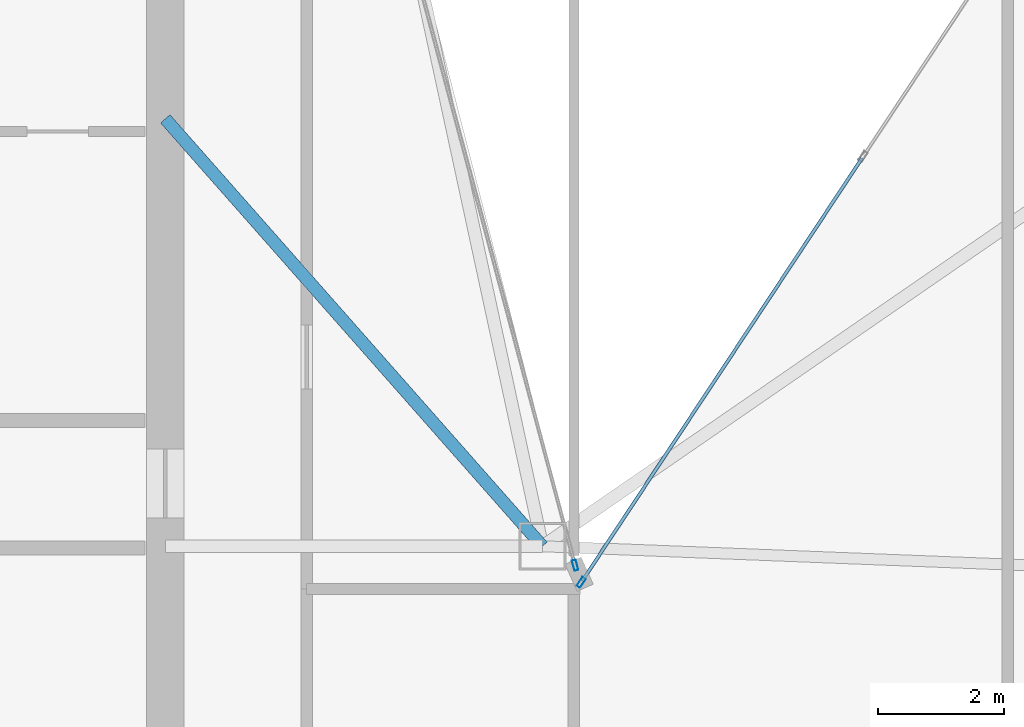
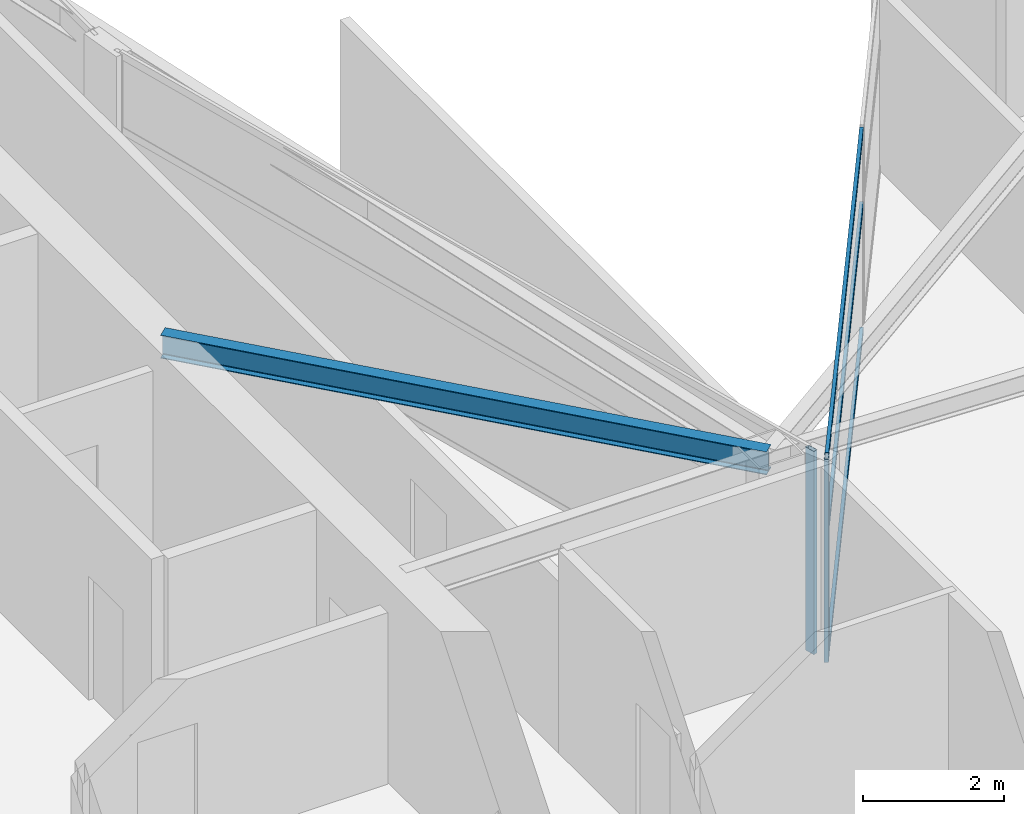
# One storey, part 10 of 27: 5 members, 1 beam, 2 elements without a shape of their own.
"""IFC4 building model written with IfcOpenShell, lengths in metres."""

from ifc_helpers import new_model, si_unit, direction, frame, origin, origin_2d, place, context, subcontext, project, spatial, hollow_rectangle, i_section, extrude, material, layer, layer_set, material_profile, profile_set, type_object, element, aggregate, save


model = new_model("IFC4")

# Units and contexts
model_context = context("Model", 3, precision=1e-05, world=origin(), true_north=direction((0.0, 1.0)))
body_context = subcontext(model_context, "Body", "Model", "MODEL_VIEW")
ifc_project = project(units=[si_unit("LENGTHUNIT", "METRE"), si_unit("AREAUNIT", "SQUARE_METRE"), si_unit("VOLUMEUNIT", "CUBIC_METRE"), si_unit("PLANEANGLEUNIT", "RADIAN"), si_unit("MASSUNIT", "GRAM", prefix="KILO")], contexts=[model_context])

# Site, building, storey
site_placement = place(None, origin())
site = spatial("IfcSite", under=ifc_project, at=site_placement, CompositionType="ELEMENT")
building_placement = place(site_placement, origin())
building = spatial("IfcBuilding", under=site, at=building_placement, Name="Calvorn Quay Hotel", CompositionType="ELEMENT")
storey_placement = place(building_placement, frame((0.0, 0.0, 278.699951171875)))
storey = spatial("IfcBuildingStorey", under=building, at=storey_placement, Name="L69", CompositionType="ELEMENT", Elevation=278.699951171875)

# Beam
ifc_material_1 = material(Name="Steel Q355B", Category="steel")
ifc_material_profile_1 = material_profile(ifc_material_1, i_section(OverallWidth=0.199951171875, OverallDepth=0.39990234375, WebThickness=0.008056640625, FlangeThickness=0.012939453125, FilletRadius=0.01611328125, at=origin_2d()), Name="HN400x200x8x13")
ifc_profile_set_1 = profile_set([ifc_material_profile_1], Name="Steel Q355B")
beam_type = type_object("IfcBeamType", Name="BM-JOIST-TYP", PredefinedType="JOIST", material=ifc_profile_set_1)
beam_placement = place(storey_placement, frame((15.0, 31.800048828125, 3.320068359375), z_axis=(0.661618965899, -0.749840212287, 0.0), x_axis=(0.749840212287, 0.661618965899, 0.0)))
element("IfcBeam", 1, at=beam_placement, inside=storey, type_object=beam_type, Name="Beam BJ-L69-C1", PredefinedType="JOIST", context=body_context, shape_type="SweptSolid", body=[
    extrude(i_section(OverallWidth=0.199951171875, OverallDepth=0.39990234375, WebThickness=0.008056640625, FlangeThickness=0.012939453125, FilletRadius=0.01611328125, at=origin_2d()), origin(), (0.0, 0.0, 1.0), 9.068603515625),
])

# Curtain wall, member
ifc_material_2 = material(Name="Champagne Bronze Anodised Aluminium and Low-E Glass", Category="aluminium")
ifc_layer = layer(ifc_material_2, 0.219970703125)
ifc_layer_set = layer_set([ifc_layer], Name="CW-SYS-Z4")
curtain_wall_type = type_object("IfcCurtainWallType", Name="CW-SYS-Z4", PredefinedType="NOTDEFINED", material=ifc_layer_set)
curtain_wall_1_placement = place(storey_placement, origin())
curtain_wall_1 = element("IfcCurtainWall", 2, at=curtain_wall_1_placement, inside=storey, type_object=curtain_wall_type, Name="Inner Court Curtain Wall L69-NE1", PredefinedType="NOTDEFINED")
ifc_material_3 = material(Name="Champagne Bronze Anodised Aluminium 6063-T6", Category="aluminium")
ifc_material_profile_2 = material_profile(ifc_material_3, hollow_rectangle(XDim=0.06494140625, YDim=0.169921875, WallThickness=0.00341796875, at=origin_2d()), Name="ALU-M170x65x3.5")
ifc_profile_set_2 = profile_set([ifc_material_profile_2], Name="Champagne Bronze Anodised Aluminium 6063-T6")
member_type_1 = type_object("IfcMemberType", Name="CW-SYS-Z4-MUL", PredefinedType="MULLION", material=ifc_profile_set_2)
member_1_placement = place(storey_placement, frame((21.616455078125, 24.425048828125, 0.0), z_axis=(0.0, 0.0, 1.0), x_axis=(0.833932205724, -0.551866900852, 0.0)))
member_1 = element("IfcMember", 3, at=member_1_placement, type_object=member_type_1, Name="CW-L69-NE1 mullion 3", PredefinedType="MULLION", context=body_context, shape_type="SweptSolid", body=[
    extrude(hollow_rectangle(XDim=0.06494140625, YDim=0.169921875, WallThickness=0.00341796875, at=origin_2d()), origin(), (0.0, 0.0, 1.0), 3.52001953125),
])

curtain_wall_2_placement = place(storey_placement, origin())
curtain_wall_2 = element("IfcCurtainWall", 4, at=curtain_wall_2_placement, inside=storey, type_object=curtain_wall_type, Name="Inner Court Curtain Wall L69-IC1", PredefinedType="NOTDEFINED")
member_2_placement = place(storey_placement, frame((21.520263671875, 24.698974609375, 0.0), z_axis=(0.0, 0.0, 1.0), x_axis=(-0.96593652056, -0.25877913024, 0.0)))
member_2 = element("IfcMember", 5, at=member_2_placement, type_object=member_type_1, Name="CW-L69-IC1 mullion 1", PredefinedType="MULLION", context=body_context, shape_type="SweptSolid", body=[
    extrude(hollow_rectangle(XDim=0.06494140625, YDim=0.169921875, WallThickness=0.00341796875, at=origin_2d()), origin(), (0.0, 0.0, 1.0), 3.52001953125),
])
aggregate(curtain_wall_2, [member_2])

# Member
ifc_material_4 = material(Name="Champagne Bronze Anodised Aluminium 6063-T6", Category="aluminium")
ifc_material_profile_3 = material_profile(ifc_material_4, hollow_rectangle(XDim=0.054931640625, YDim=0.1298828125, WallThickness=0.003173828125, at=origin_2d()), Name="ALU-T130x55x3.2")
ifc_profile_set_3 = profile_set([ifc_material_profile_3], Name="Champagne Bronze Anodised Aluminium 6063-T6")
member_type_2 = type_object("IfcMemberType", Name="CW-SYS-Z4-TRN", PredefinedType="USERDEFINED", material=ifc_profile_set_3)
member_3_placement = place(storey_placement, frame((26.08349609375, 31.175048828125, 0.030029296875), z_axis=(-0.551867520082, -0.833931795939, 0.0), x_axis=(0.833931795939, -0.551867520082, 0.0)))
member_3 = element("IfcMember", 6, at=member_3_placement, type_object=member_type_2, Name="CW-L69-NE1 transom 2.1", ObjectType="TRANSOM", PredefinedType="USERDEFINED", context=body_context, shape_type="SweptSolid", body=[
    extrude(hollow_rectangle(XDim=0.054931640625, YDim=0.1298828125, WallThickness=0.003173828125, at=origin_2d()), origin(), (0.0, 0.0, 1.0), 8.064208984375),
])

member_4_placement = place(storey_placement, frame((26.08349609375, 31.175048828125, 2.199951171875), z_axis=(-0.551867520082, -0.833931795939, 0.0), x_axis=(0.833931795939, -0.551867520082, 0.0)))
member_4 = element("IfcMember", 7, at=member_4_placement, type_object=member_type_2, Name="CW-L69-NE1 transom 2.2", ObjectType="TRANSOM", PredefinedType="USERDEFINED", context=body_context, shape_type="SweptSolid", body=[
    extrude(hollow_rectangle(XDim=0.054931640625, YDim=0.1298828125, WallThickness=0.003173828125, at=origin_2d()), origin(), (0.0, 0.0, 1.0), 8.064208984375),
])

member_5_placement = place(storey_placement, frame((26.08349609375, 31.175048828125, 3.489990234375), z_axis=(-0.551867520082, -0.833931795939, 0.0), x_axis=(0.833931795939, -0.551867520082, 0.0)))
member_5 = element("IfcMember", 8, at=member_5_placement, type_object=member_type_2, Name="CW-L69-NE1 transom 2.3", ObjectType="TRANSOM", PredefinedType="USERDEFINED", context=body_context, shape_type="SweptSolid", body=[
    extrude(hollow_rectangle(XDim=0.054931640625, YDim=0.1298828125, WallThickness=0.003173828125, at=origin_2d()), origin(), (0.0, 0.0, 1.0), 8.064208984375),
])

aggregate(curtain_wall_1, [member_1, member_3, member_4, member_5])

save(model, "model.ifc")
